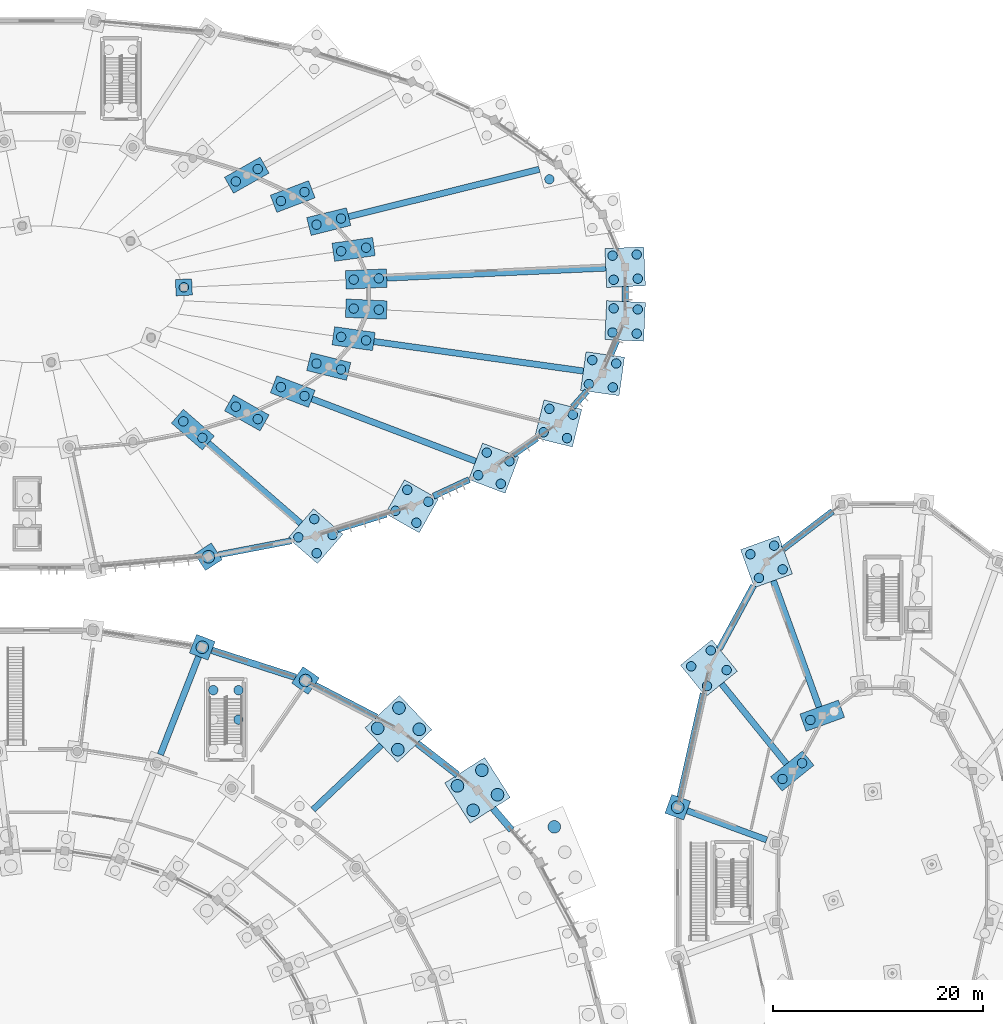
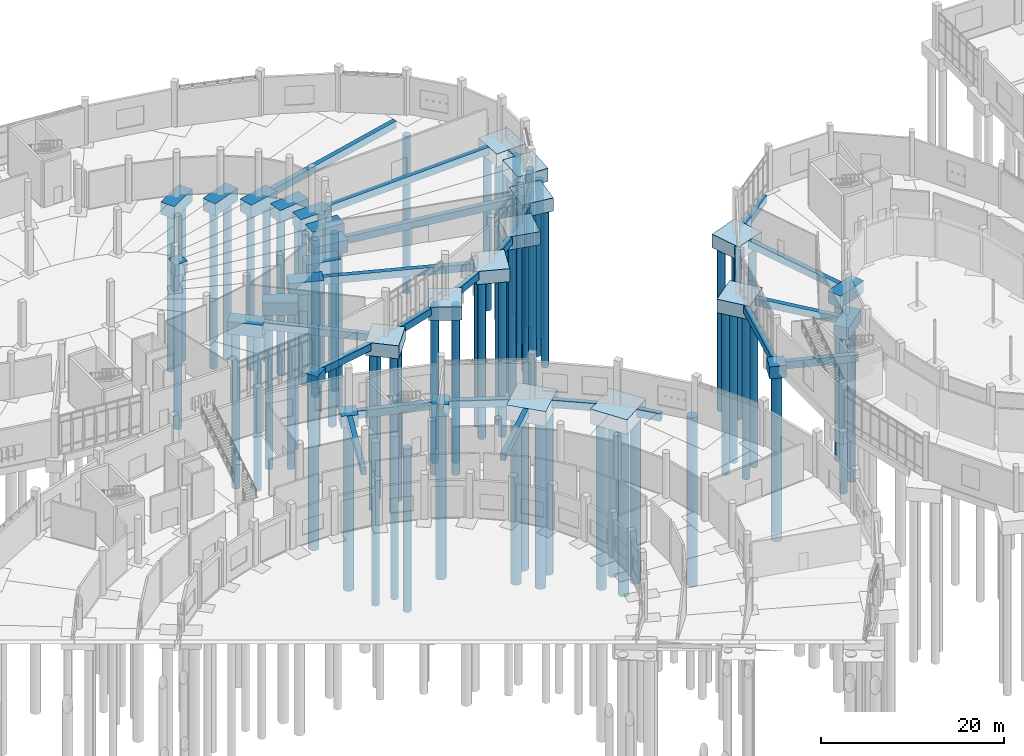
# One storey, part 10 of 140: 79 piles, 53 footings.
"""IFC4 building model written with IfcOpenShell, lengths in metres."""

from ifc_helpers import new_model, si_unit, direction, frame, origin, origin_2d, place, context, subcontext, project, spatial, rectangle, circle, extrude, material, layer, layer_set, material_profile, profile_set, type_object, element, save


model = new_model("IFC4")

# Units and contexts
model_context = context("Model", 3, precision=1e-05, world=origin(), true_north=direction((0.0, 1.0)))
body_context = subcontext(model_context, "Body", "Model", "MODEL_VIEW")
ifc_project = project(units=[si_unit("LENGTHUNIT", "METRE"), si_unit("AREAUNIT", "SQUARE_METRE"), si_unit("VOLUMEUNIT", "CUBIC_METRE"), si_unit("PLANEANGLEUNIT", "RADIAN"), si_unit("MASSUNIT", "GRAM", prefix="KILO")], contexts=[model_context])

# Site, building, storey
site_placement = place(None, origin())
site = spatial("IfcSite", under=ifc_project, at=site_placement, CompositionType="ELEMENT")
building_placement = place(site_placement, origin())
building = spatial("IfcBuilding", under=site, at=building_placement, Name="Corvandel Quay Wholesale Market", CompositionType="ELEMENT")
storey_placement = place(building_placement, origin())
storey = spatial("IfcBuildingStorey", under=building, at=storey_placement, Name="L00", CompositionType="ELEMENT", Elevation=0.0)

# Piles
ifc_material = material(Name="Concrete C40/50", Category="concrete")
ifc_material_profile_1 = material_profile(ifc_material, circle(Radius=0.60009765625, at=origin_2d()), Name="RC-PILE-D1200")
ifc_profile_set_1 = profile_set([ifc_material_profile_1], Name="Concrete C40/50")
pile_type_1 = type_object("IfcPileType", Name="Bored Pile D1200 L22.2", PredefinedType="BORED", material=ifc_profile_set_1)
for number, where, z_axis, x_axis, name in (
    (1, (157.85107421875, 68.35205078125, -1.860107421875), (0.0, 0.0, -1.0), (1.0, 0.0, 0.0), "Bored Pile PIL-0152"),
    (2, (156.365966796875, 70.678955078125, -1.860107421875), (0.0, 0.0, -1.0), (1.0, 0.0, 0.0), "Bored Pile PIL-0153"),
    (3, (155.52392578125, 66.866943359375, -1.860107421875), (0.0, 0.0, -1.0), (1.0, 0.0, 0.0), "Bored Pile PIL-0154"),
    (4, (154.0390625, 69.194091796875, -1.860107421875), (0.0, 0.0, -1.0), (1.0, 0.0, 0.0), "Bored Pile PIL-0155"),
    (5, (150.402099609375, 74.571044921875, -1.85009765625), (0.0, 0.0, -1.0), (1.0, 0.0, 0.0), "Bored Pile PIL-0159"),
    (6, (148.47607421875, 76.60302734375, -1.85009765625), (0.0, 0.0, -1.0), (1.0, 0.0, 0.0), "Bored Pile PIL-0160"),
    (7, (148.3701171875, 72.64501953125, -1.85009765625), (0.0, 0.0, -1.0), (1.0, 0.0, 0.0), "Bored Pile PIL-0161"),
    (8, (146.444091796875, 74.677001953125, -1.85009765625), (0.0, 0.0, -1.0), (1.0, 0.0, 0.0), "Bored Pile PIL-0162"),
    (9, (139.5791015625, 79.219970703125, -1.5), (0.0, 0.0, -1.0), (1.0, 0.0, 0.0), "Bored Pile PIL-0169"),
    (10, (129.7509765625, 82.385986328125, -1.5), (0.0, 0.0, -1.0), (1.0, 0.0, 0.0), "Bored Pile PIL-0173"),
    (11, (130.3349609375, 90.9990234375, -1.5), (0.0, 0.0, -1.0), (1.0, 0.0, 0.0), "Bored Pile PIL-0460"),
    (12, (175.0, 67.160888671875, -1.5), (0.0, 0.0, -1.0), (1.0, 0.0, 0.0), "Bored Pile PIL-0531"),
):
    element("IfcPile", number, at=place(storey_placement, frame(where, z_axis=z_axis, x_axis=x_axis)), inside=storey, type_object=pile_type_1, Name=name, PredefinedType="BORED", context=body_context, shape_type="SweptSolid", body=[
        extrude(circle(Radius=0.60009765625, at=origin_2d()), origin(), (0.0, 0.0, 1.0), 22.199951171875),
    ])
ifc_material_profile_2 = material_profile(ifc_material, circle(Radius=0.60009765625, at=origin_2d()), Name="RC-PILE-D1200")
ifc_profile_set_2 = profile_set([ifc_material_profile_2], Name="Concrete C40/50")
pile_type_2 = type_object("IfcPileType", Name="Bored Pile D1200 L22.6", PredefinedType="BORED", material=ifc_profile_set_2)
pile_placement = place(storey_placement, frame((163.257080078125, 65.29296875, -1.89990234375), z_axis=(0.0, 0.0, -1.0), x_axis=(1.0, 0.0, 0.0)))
element("IfcPile", 13, at=pile_placement, inside=storey, type_object=pile_type_2, Name="Bored Pile PIL-0145", PredefinedType="BORED", context=body_context, shape_type="SweptSolid", body=[
    extrude(circle(Radius=0.60009765625, at=origin_2d()), origin(), (0.0, 0.0, 1.0), 22.60009765625),
])
ifc_material_profile_3 = material_profile(ifc_material, circle(Radius=0.449951171875, at=origin_2d()), Name="RC-PILE-D900")
ifc_profile_set_3 = profile_set([ifc_material_profile_3], Name="Concrete C40/50")
pile_type_3 = type_object("IfcPileType", Name="Bored Pile D900 L21.0", PredefinedType="BORED", material=ifc_profile_set_3)
for number, where, z_axis, x_axis, name in (
    (14, (171.200927734375, 117.465087890625, -1.64990234375), (0.0, 0.0, -1.0), (1.0, 0.0, 0.0), "Bored Pile PIL-0335"),
    (15, (171.095947265625, 119.761962890625, -1.64990234375), (0.0, 0.0, -1.0), (1.0, 0.0, 0.0), "Bored Pile PIL-0336"),
    (16, (168.904052734375, 117.360107421875, -1.64990234375), (0.0, 0.0, -1.0), (1.0, 0.0, 0.0), "Bored Pile PIL-0337"),
    (17, (168.799072265625, 119.656982421875, -1.64990234375), (0.0, 0.0, -1.0), (1.0, 0.0, 0.0), "Bored Pile PIL-0338"),
    (18, (146.55908203125, 117.489013671875, -1.550048828125), (0.0, 0.0, -1.0), (1.0, 0.0, 0.0), "Bored Pile PIL-0339"),
    (19, (144.160888671875, 117.37890625, -1.550048828125), (0.0, 0.0, -1.0), (1.0, 0.0, 0.0), "Bored Pile PIL-0340"),
    (20, (128.0, 116.639892578125, -1.39990234375), (0.0, 0.0, -1.0), (1.0, 0.0, 0.0), "Bored Pile PIL-0341"),
    (21, (145.343017578125, 120.4140625, -1.550048828125), (0.0, 0.0, -1.0), (1.0, 0.0, 0.0), "Bored Pile PIL-0346"),
    (22, (142.967041015625, 120.080078125, -1.550048828125), (0.0, 0.0, -1.0), (1.0, 0.0, 0.0), "Bored Pile PIL-0347"),
    (23, (162.7880859375, 126.923095703125, -1.64990234375), (0.0, 0.0, -1.0), (1.0, 0.0, 0.0), "Bored Pile PIL-0350"),
    (24, (142.9560546875, 123.18603515625, -1.550048828125), (0.0, 0.0, -1.0), (1.0, 0.0, 0.0), "Bored Pile PIL-0352"),
    (25, (140.6259765625, 122.60791015625, -1.550048828125), (0.0, 0.0, -1.0), (1.0, 0.0, 0.0), "Bored Pile PIL-0353"),
    (26, (139.47998046875, 125.7080078125, -1.550048828125), (0.0, 0.0, -1.0), (1.0, 0.0, 0.0), "Bored Pile PIL-0358"),
    (27, (137.238037109375, 124.85400390625, -1.550048828125), (0.0, 0.0, -1.0), (1.0, 0.0, 0.0), "Bored Pile PIL-0359"),
    (28, (135.034912109375, 127.89990234375, -1.550048828125), (0.0, 0.0, -1.0), (1.0, 0.0, 0.0), "Bored Pile PIL-0364"),
    (29, (132.947021484375, 126.718017578125, -1.550048828125), (0.0, 0.0, -1.0), (1.0, 0.0, 0.0), "Bored Pile PIL-0365"),
    (30, (140.639892578125, 91.3369140625, -1.64990234375), (0.0, 0.0, -1.0), (1.0, 0.0, 0.0), "Bored Pile PIL-0462"),
    (31, (142.14794921875, 93.072998046875, -1.64990234375), (0.0, 0.0, -1.0), (1.0, 0.0, 0.0), "Bored Pile PIL-0463"),
    (32, (138.904052734375, 92.844970703125, -1.64990234375), (0.0, 0.0, -1.0), (1.0, 0.0, 0.0), "Bored Pile PIL-0464"),
    (33, (140.412109375, 94.5810546875, -1.64990234375), (0.0, 0.0, -1.0), (1.0, 0.0, 0.0), "Bored Pile PIL-0465"),
    (34, (129.760986328125, 102.31005859375, -1.550048828125), (0.0, 0.0, -1.0), (1.0, 0.0, 0.0), "Bored Pile PIL-0466"),
    (35, (127.948974609375, 103.884033203125, -1.550048828125), (0.0, 0.0, -1.0), (1.0, 0.0, 0.0), "Bored Pile PIL-0467"),
    (36, (150.133056640625, 94.237060546875, -1.64990234375), (0.0, 0.0, -1.0), (1.0, 0.0, 0.0), "Bored Pile PIL-0468"),
    (37, (151.264892578125, 96.239013671875, -1.64990234375), (0.0, 0.0, -1.0), (1.0, 0.0, 0.0), "Bored Pile PIL-0469"),
    (38, (148.131103515625, 95.368896484375, -1.64990234375), (0.0, 0.0, -1.0), (1.0, 0.0, 0.0), "Bored Pile PIL-0470"),
    (39, (149.262939453125, 97.37109375, -1.64990234375), (0.0, 0.0, -1.0), (1.0, 0.0, 0.0), "Bored Pile PIL-0471"),
    (40, (135.034912109375, 104.10009765625, -1.550048828125), (0.0, 0.0, -1.0), (1.0, 0.0, 0.0), "Bored Pile PIL-0472"),
    (41, (132.947021484375, 105.281982421875, -1.550048828125), (0.0, 0.0, -1.0), (1.0, 0.0, 0.0), "Bored Pile PIL-0473"),
    (42, (158.1630859375, 97.94189453125, -1.64990234375), (0.0, 0.0, -1.0), (1.0, 0.0, 0.0), "Bored Pile PIL-0474"),
    (43, (158.98193359375, 100.091064453125, -1.64990234375), (0.0, 0.0, -1.0), (1.0, 0.0, 0.0), "Bored Pile PIL-0475"),
    (44, (156.013916015625, 98.760986328125, -1.64990234375), (0.0, 0.0, -1.0), (1.0, 0.0, 0.0), "Bored Pile PIL-0476"),
    (45, (156.8330078125, 100.909912109375, -1.64990234375), (0.0, 0.0, -1.0), (1.0, 0.0, 0.0), "Bored Pile PIL-0477"),
    (46, (139.47998046875, 106.2919921875, -1.550048828125), (0.0, 0.0, -1.0), (1.0, 0.0, 0.0), "Bored Pile PIL-0478"),
    (47, (137.238037109375, 107.14599609375, -1.550048828125), (0.0, 0.0, -1.0), (1.0, 0.0, 0.0), "Bored Pile PIL-0479"),
    (48, (164.466064453125, 102.291015625, -1.64990234375), (0.0, 0.0, -1.0), (1.0, 0.0, 0.0), "Bored Pile PIL-0481"),
    (49, (165.02001953125, 104.52294921875, -1.64990234375), (0.0, 0.0, -1.0), (1.0, 0.0, 0.0), "Bored Pile PIL-0482"),
    (50, (162.23388671875, 102.844970703125, -1.64990234375), (0.0, 0.0, -1.0), (1.0, 0.0, 0.0), "Bored Pile PIL-0483"),
    (51, (162.7880859375, 105.076904296875, -1.64990234375), (0.0, 0.0, -1.0), (1.0, 0.0, 0.0), "Bored Pile PIL-0484"),
    (52, (142.9560546875, 108.81396484375, -1.550048828125), (0.0, 0.0, -1.0), (1.0, 0.0, 0.0), "Bored Pile PIL-0485"),
    (53, (140.6259765625, 109.39208984375, -1.550048828125), (0.0, 0.0, -1.0), (1.0, 0.0, 0.0), "Bored Pile PIL-0486"),
    (54, (168.825927734375, 107.116943359375, -1.64990234375), (0.0, 0.0, -1.0), (1.0, 0.0, 0.0), "Bored Pile PIL-0487"),
    (55, (169.14697265625, 109.39404296875, -1.64990234375), (0.0, 0.0, -1.0), (1.0, 0.0, 0.0), "Bored Pile PIL-0488"),
    (56, (166.549072265625, 107.43798828125, -1.64990234375), (0.0, 0.0, -1.0), (1.0, 0.0, 0.0), "Bored Pile PIL-0489"),
    (57, (166.8701171875, 109.715087890625, -1.64990234375), (0.0, 0.0, -1.0), (1.0, 0.0, 0.0), "Bored Pile PIL-0490"),
    (58, (145.343017578125, 111.5859375, -1.550048828125), (0.0, 0.0, -1.0), (1.0, 0.0, 0.0), "Bored Pile PIL-0491"),
    (59, (142.967041015625, 111.919921875, -1.550048828125), (0.0, 0.0, -1.0), (1.0, 0.0, 0.0), "Bored Pile PIL-0492"),
    (60, (171.095947265625, 112.238037109375, -1.64990234375), (0.0, 0.0, -1.0), (1.0, 0.0, 0.0), "Bored Pile PIL-0493"),
    (61, (171.200927734375, 114.534912109375, -1.64990234375), (0.0, 0.0, -1.0), (1.0, 0.0, 0.0), "Bored Pile PIL-0494"),
    (62, (168.799072265625, 112.343017578125, -1.64990234375), (0.0, 0.0, -1.0), (1.0, 0.0, 0.0), "Bored Pile PIL-0495"),
    (63, (168.904052734375, 114.639892578125, -1.64990234375), (0.0, 0.0, -1.0), (1.0, 0.0, 0.0), "Bored Pile PIL-0496"),
    (64, (146.55908203125, 114.510986328125, -1.550048828125), (0.0, 0.0, -1.0), (1.0, 0.0, 0.0), "Bored Pile PIL-0497"),
    (65, (144.160888671875, 114.62109375, -1.550048828125), (0.0, 0.0, -1.0), (1.0, 0.0, 0.0), "Bored Pile PIL-0498"),
    (66, (187.6279296875, 75.4619140625, -1.550048828125), (0.0, 0.0, -1.0), (1.0, 0.0, 0.0), "Bored Pile PIL-0523"),
    (67, (184.971923828125, 69.847900390625, -1.550048828125), (0.0, 0.0, -1.0), (1.0, 0.0, 0.0), "Bored Pile PIL-0529"),
    (68, (186.8359375, 71.360107421875, -1.550048828125), (0.0, 0.0, -1.0), (1.0, 0.0, 0.0), "Bored Pile PIL-0530"),
):
    element("IfcPile", number, at=place(storey_placement, frame(where, z_axis=z_axis, x_axis=x_axis)), inside=storey, type_object=pile_type_3, Name=name, PredefinedType="BORED", context=body_context, shape_type="SweptSolid", body=[
        extrude(circle(Radius=0.449951171875, at=origin_2d()), origin(), (0.0, 0.0, 1.0), 21.0),
    ])
ifc_material_profile_4 = material_profile(ifc_material, circle(Radius=0.449951171875, at=origin_2d()), Name="RC-PILE-D900")
ifc_profile_set_4 = profile_set([ifc_material_profile_4], Name="Concrete C40/50")
pile_type_4 = type_object("IfcPileType", Name="Bored Pile D900 L21.8", PredefinedType="BORED", material=ifc_profile_set_4)
for number, where, z_axis, x_axis, name in (
    (69, (133.199951171875, 75.5, -1.85009765625), (0.0, 0.0, -1.0), (1.0, 0.0, 0.0), "Bored Pile PIL-0044"),
    (70, (130.800048828125, 78.300048828125, -1.85009765625), (0.0, 0.0, -1.0), (1.0, 0.0, 0.0), "Bored Pile PIL-0045"),
    (71, (133.199951171875, 78.300048828125, -1.85009765625), (0.0, 0.0, -1.0), (1.0, 0.0, 0.0), "Bored Pile PIL-0046"),
    (72, (182.73388671875, 88.98193359375, -1.699951171875), (0.0, 0.0, -1.0), (1.0, 0.0, 0.0), "Bored Pile PIL-0519"),
    (73, (184.990966796875, 89.799072265625, -1.699951171875), (0.0, 0.0, -1.0), (1.0, 0.0, 0.0), "Bored Pile PIL-0520"),
    (74, (181.9169921875, 91.239013671875, -1.699951171875), (0.0, 0.0, -1.0), (1.0, 0.0, 0.0), "Bored Pile PIL-0521"),
    (75, (184.174072265625, 92.055908203125, -1.699951171875), (0.0, 0.0, -1.0), (1.0, 0.0, 0.0), "Bored Pile PIL-0522"),
    (76, (177.7919921875, 78.7041015625, -1.699951171875), (0.0, 0.0, -1.0), (1.0, 0.0, 0.0), "Bored Pile PIL-0525"),
    (77, (179.656982421875, 80.215087890625, -1.699951171875), (0.0, 0.0, -1.0), (1.0, 0.0, 0.0), "Bored Pile PIL-0526"),
    (78, (176.281005859375, 80.569091796875, -1.699951171875), (0.0, 0.0, -1.0), (1.0, 0.0, 0.0), "Bored Pile PIL-0527"),
    (79, (178.14599609375, 82.080078125, -1.699951171875), (0.0, 0.0, -1.0), (1.0, 0.0, 0.0), "Bored Pile PIL-0528"),
):
    element("IfcPile", number, at=place(storey_placement, frame(where, z_axis=z_axis, x_axis=x_axis)), inside=storey, type_object=pile_type_4, Name=name, PredefinedType="BORED", context=body_context, shape_type="SweptSolid", body=[
        extrude(circle(Radius=0.449951171875, at=origin_2d()), origin(), (0.0, 0.0, 1.0), 21.800048828125),
    ])

# Footings
ifc_layer_1 = layer(ifc_material, 1.64990234375)
ifc_layer_set_1 = layer_set([ifc_layer_1], Name="Concrete C40/50")
footing_type_1 = type_object("IfcFootingType", Name="Pile Cap PC03 1750x3900x1650", PredefinedType="PILE_CAP", material=ifc_layer_set_1)
for number, where, z_axis, x_axis, name in (
    (80, (145.360107421875, 117.43408203125, -1.64990234375), (0.0, 0.0, 1.0), (-0.04571169187, 0.99895467426, 0.0), "Pile Cap FND-0216"),
    (81, (144.155029296875, 120.2470703125, -1.64990234375), (0.0, 0.0, 1.0), (-0.13951876124, 0.990219427835, 0.0), "Pile Cap FND-0219"),
    (82, (141.791015625, 122.89697265625, -1.64990234375), (0.0, 0.0, 1.0), (-0.240905671828, 0.970548534222, 0.0), "Pile Cap FND-0221"),
    (83, (138.35888671875, 125.281005859375, -1.64990234375), (0.0, 0.0, 1.0), (-0.356085714679, 0.934453296747, 0.0), "Pile Cap FND-0223"),
    (84, (133.990966796875, 127.30908203125, -1.64990234375), (0.0, 0.0, 1.0), (-0.492423560103, 0.87035569594, 0.0), "Pile Cap FND-0225"),
    (85, (128.85498046875, 103.096923828125, -1.64990234375), (0.0, 0.0, 1.0), (0.655795545685, 0.754938542041, 0.0), "Pile Cap FND-0275"),
    (86, (133.990966796875, 104.69091796875, -1.64990234375), (0.0, 0.0, 1.0), (0.492423560103, 0.87035569594, 0.0), "Pile Cap FND-0277"),
    (87, (138.35888671875, 106.718994140625, -1.64990234375), (0.0, 0.0, 1.0), (0.356085714679, 0.934453296747, 0.0), "Pile Cap FND-0279"),
    (88, (141.791015625, 109.10302734375, -1.64990234375), (0.0, 0.0, 1.0), (0.240905671828, 0.970548534222, 0.0), "Pile Cap FND-0282"),
    (89, (144.155029296875, 111.7529296875, -1.64990234375), (0.0, 0.0, 1.0), (0.13951876124, 0.990219427835, 0.0), "Pile Cap FND-0284"),
    (90, (145.360107421875, 114.56591796875, -1.64990234375), (0.0, 0.0, 1.0), (0.04571169187, 0.99895467426, 0.0), "Pile Cap FND-0286"),
):
    element("IfcFooting", number, at=place(storey_placement, frame(where, z_axis=z_axis, x_axis=x_axis)), inside=storey, type_object=footing_type_1, Name=name, PredefinedType="PILE_CAP", context=body_context, shape_type="SweptSolid", body=[
        extrude(rectangle(XDim=1.75, YDim=3.89990234375, at=origin_2d()), origin(), (0.0, 0.0, 1.0), 1.64990234375),
    ])
ifc_layer_2 = layer(ifc_material, 1.64990234375)
ifc_layer_set_2 = layer_set([ifc_layer_2], Name="Concrete C40/50")
footing_type_2 = type_object("IfcFootingType", Name="Pile Cap PC04 3900x1750x1650", PredefinedType="PILE_CAP", material=ifc_layer_set_2)
for number, where, z_axis, x_axis, name in (
    (91, (188.756103515625, 75.8701171875, -1.64990234375), (0.0, 0.0, 1.0), (0.94028812701, 0.340379550213, 0.0), "Pile Cap FND-0348"),
    (92, (185.904052734375, 70.60400390625, -1.64990234375), (0.0, 0.0, 1.0), (0.776816343556, 0.629727217439, 0.0), "Pile Cap FND-0350"),
):
    element("IfcFooting", number, at=place(storey_placement, frame(where, z_axis=z_axis, x_axis=x_axis)), inside=storey, type_object=footing_type_2, Name=name, PredefinedType="PILE_CAP", context=body_context, shape_type="SweptSolid", body=[
        extrude(rectangle(XDim=3.89990234375, YDim=1.75, at=origin_2d()), origin(), (0.0, 0.0, 1.0), 1.64990234375),
    ])
ifc_layer_3 = layer(ifc_material, 1.75)
ifc_layer_set_3 = layer_set([ifc_layer_3], Name="Concrete C40/50")
footing_type_3 = type_object("IfcFootingType", Name="Pile Cap PC05 3700x3700x1750", PredefinedType="PILE_CAP", material=ifc_layer_set_3)
for number, where, z_axis, x_axis, name in (
    (93, (170.0, 118.56103515625, -1.75), (0.0, 0.0, 1.0), (-0.04571169187, 0.99895467426, 0.0), "Pile Cap FND-0215"),
    (94, (140.52587890625, 92.958984375, -1.75), (0.0, 0.0, 1.0), (0.655795545685, 0.754938542041, 0.0), "Pile Cap FND-0274"),
    (95, (149.697998046875, 95.803955078125, -1.75), (0.0, 0.0, 1.0), (0.492423560103, 0.87035569594, 0.0), "Pile Cap FND-0276"),
    (96, (157.498046875, 99.426025390625, -1.75), (0.0, 0.0, 1.0), (0.356085714679, 0.934453296747, 0.0), "Pile Cap FND-0278"),
    (97, (163.626953125, 103.68408203125, -1.75), (0.0, 0.0, 1.0), (0.240905671828, 0.970548534222, 0.0), "Pile Cap FND-0281"),
    (98, (167.847900390625, 108.416015625, -1.75), (0.0, 0.0, 1.0), (0.13951876124, 0.990219427835, 0.0), "Pile Cap FND-0283"),
    (99, (170.0, 113.43896484375, -1.75), (0.0, 0.0, 1.0), (0.04571169187, 0.99895467426, 0.0), "Pile Cap FND-0285"),
):
    element("IfcFooting", number, at=place(storey_placement, frame(where, z_axis=z_axis, x_axis=x_axis)), inside=storey, type_object=footing_type_3, Name=name, PredefinedType="PILE_CAP", context=body_context, shape_type="SweptSolid", body=[
        extrude(rectangle(XDim=3.699951171875, YDim=3.699951171875, at=origin_2d()), origin(), (0.0, 0.0, 1.0), 1.75),
    ])
ifc_layer_4 = layer(ifc_material, 1.800048828125)
ifc_layer_set_4 = layer_set([ifc_layer_4], Name="Concrete C40/50")
footing_type_4 = type_object("IfcFootingType", Name="Pile Cap PC06 3850x3850x1800", PredefinedType="PILE_CAP", material=ifc_layer_set_4)
for number, where, z_axis, x_axis, name in (
    (100, (183.4541015625, 90.51904296875, -1.7998046875), (0.0, 0.0, 1.0), (0.94028812701, 0.340379550213, 0.0), "Pile Cap FND-0347"),
    (101, (177.968994140625, 80.39208984375, -1.7998046875), (0.0, 0.0, 1.0), (0.776816343556, 0.629727217439, 0.0), "Pile Cap FND-0349"),
):
    element("IfcFooting", number, at=place(storey_placement, frame(where, z_axis=z_axis, x_axis=x_axis)), inside=storey, type_object=footing_type_4, Name=name, PredefinedType="PILE_CAP", context=body_context, shape_type="SweptSolid", body=[
        extrude(rectangle(XDim=3.85009765625, YDim=3.85009765625, at=origin_2d()), origin(), (0.0, 0.0, 1.0), 1.800048828125),
    ])
ifc_layer_5 = layer(ifc_material, 1.949951171875)
ifc_layer_set_5 = layer_set([ifc_layer_5], Name="Concrete C40/50")
footing_type_5 = type_object("IfcFootingType", Name="Pile Cap PC11 4500x4500x1950", PredefinedType="PILE_CAP", material=ifc_layer_set_5)
footing_1_placement = place(storey_placement, frame((148.423095703125, 74.6240234375, -1.9501953125), z_axis=(0.0, 0.0, 1.0), x_axis=(-0.687848001144, 0.725854756355, 0.0)))
element("IfcFooting", 102, at=footing_1_placement, inside=storey, type_object=footing_type_5, Name="Pile Cap FND-0035", PredefinedType="PILE_CAP", context=body_context, shape_type="SweptSolid", body=[
    extrude(rectangle(XDim=4.5, YDim=4.5, at=origin_2d()), origin(), (0.0, 0.0, 1.0), 1.949951171875),
])
ifc_layer_6 = layer(ifc_material, 1.5)
ifc_layer_set_6 = layer_set([ifc_layer_6], Name="Concrete C40/50")
footing_type_6 = type_object("IfcFootingType", Name="Pile Cap PC15 1550x1550x1500", PredefinedType="PILE_CAP", material=ifc_layer_set_6)
footing_2_placement = place(storey_placement, frame((128.0, 116.639892578125, -1.5), z_axis=(0.0, 0.0, 1.0), x_axis=(-0.04571169187, 0.99895467426, 0.0)))
element("IfcFooting", 103, at=footing_2_placement, inside=storey, type_object=footing_type_6, Name="Pile Cap FND-0217", PredefinedType="PILE_CAP", context=body_context, shape_type="SweptSolid", body=[
    extrude(rectangle(XDim=1.550048828125, YDim=1.550048828125, at=origin_2d()), origin(), (0.0, 0.0, 1.0), 1.5),
])
ifc_layer_7 = layer(ifc_material, 1.60009765625)
ifc_layer_set_7 = layer_set([ifc_layer_7], Name="Concrete C40/50")
footing_type_7 = type_object("IfcFootingType", Name="Pile Cap PC16 1900x1900x1600", PredefinedType="PILE_CAP", material=ifc_layer_set_7)
for number, where, z_axis, x_axis, name in (
    (104, (139.5791015625, 79.219970703125, -1.60009765625), (0.0, 0.0, 1.0), (-0.824126188622, 0.566406236925, 0.0), "Pile Cap FND-0038"),
    (105, (129.7509765625, 82.385986328125, -1.60009765625), (0.0, 0.0, 1.0), (-0.931627814096, 0.363413835735, 0.0), "Pile Cap FND-0041"),
    (106, (130.3349609375, 90.9990234375, -1.60009765625), (0.0, 0.0, 1.0), (0.837146380758, 0.546978918409, 0.0), "Pile Cap FND-0272"),
    (107, (175.0, 67.160888671875, -1.60009765625), (0.0, 0.0, 1.0), (0.344642923175, 0.938733857654, 0.0), "Pile Cap FND-0351"),
):
    element("IfcFooting", number, at=place(storey_placement, frame(where, z_axis=z_axis, x_axis=x_axis)), inside=storey, type_object=footing_type_7, Name=name, PredefinedType="PILE_CAP", context=body_context, shape_type="SweptSolid", body=[
        extrude(rectangle(XDim=1.89990234375, YDim=1.89990234375, at=origin_2d()), origin(), (0.0, 0.0, 1.0), 1.60009765625),
    ])
ifc_layer_8 = layer(ifc_material, 1.9599609375)
ifc_layer_set_8 = layer_set([ifc_layer_8], Name="Concrete C40/50")
footing_type_8 = type_object("IfcFootingType", Name="Pile Cap PC23 4520x4520x1960", PredefinedType="PILE_CAP", material=ifc_layer_set_8)
footing_3_placement = place(storey_placement, frame((155.945068359375, 68.77294921875, -1.9599609375), z_axis=(0.0, 0.0, 1.0), x_axis=(-0.538035401546, 0.842922242371, 0.0)))
element("IfcFooting", 108, at=footing_3_placement, inside=storey, type_object=footing_type_8, Name="Pile Cap FND-0032", PredefinedType="PILE_CAP", context=body_context, shape_type="SweptSolid", body=[
    extrude(rectangle(XDim=4.52001953125, YDim=4.52001953125, at=origin_2d()), origin(), (0.0, 0.0, 1.0), 1.9599609375),
])
ifc_layer_9 = layer(ifc_material, 0.949951171875)
ifc_layer_set_9 = layer_set([ifc_layer_9], Name="Concrete C40/50")
footing_type_9 = type_object("IfcFootingType", Name="Seismic Tie Beam GB01 600x950", PredefinedType="FOOTING_BEAM", material=ifc_layer_set_9)
footing_4_placement = place(storey_placement, frame((143.544921875, 70.0, -0.9501953125), z_axis=(0.0, 0.0, 1.0), x_axis=(0.725734693176, 0.68797467622, 0.0)))
element("IfcFooting", 109, at=footing_4_placement, inside=storey, type_object=footing_type_9, Name="Grade Beam FND-0133", PredefinedType="FOOTING_BEAM", context=body_context, shape_type="SweptSolid", body=[
    extrude(rectangle(XDim=8.94189453125, YDim=0.60009765625, at=origin_2d()), origin(), (0.0, 0.0, 1.0), 0.949951171875),
])
footing_5_placement = place(storey_placement, frame((127.5849609375, 76.8330078125, -0.9501953125), z_axis=(0.0, 0.0, 1.0), x_axis=(0.363251230473, 0.931691227586, 0.0)))
element("IfcFooting", 110, at=footing_5_placement, inside=storey, type_object=footing_type_9, Name="Grade Beam FND-0139", PredefinedType="FOOTING_BEAM", context=body_context, shape_type="SweptSolid", body=[
    extrude(rectangle(XDim=10.02099609375, YDim=0.60009765625, at=origin_2d()), origin(), (0.0, 0.0, 1.0), 0.949951171875),
])
footing_6_placement = place(storey_placement, frame((157.72998046875, 118.0, -0.9501953125), z_axis=(0.0, 0.0, 1.0), x_axis=(0.99895467426, 0.04571169187, 0.0)))
element("IfcFooting", 111, at=footing_6_placement, inside=storey, type_object=footing_type_9, Name="Grade Beam FND-0288", PredefinedType="FOOTING_BEAM", context=body_context, shape_type="SweptSolid", body=[
    extrude(rectangle(XDim=20.865966796875, YDim=0.60009765625, at=origin_2d()), origin(), (0.0, 0.0, 1.0), 0.949951171875),
])
footing_7_placement = place(storey_placement, frame((152.758056640625, 125.618896484375, -0.9501953125), z_axis=(0.0, 0.0, 1.0), x_axis=(0.970548534222, 0.240905671828, 0.0)))
element("IfcFooting", 112, at=footing_7_placement, inside=storey, type_object=footing_type_9, Name="Grade Beam FND-0291", PredefinedType="FOOTING_BEAM", context=body_context, shape_type="SweptSolid", body=[
    extrude(rectangle(XDim=18.697998046875, YDim=0.60009765625, at=origin_2d()), origin(), (0.0, 0.0, 1.0), 0.949951171875),
])
footing_8_placement = place(storey_placement, frame((134.780029296875, 91.85400390625, -0.9501953125), z_axis=(0.0, 0.0, 1.0), x_axis=(0.981991701121, 0.188924055984, 0.0)))
element("IfcFooting", 113, at=footing_8_placement, inside=storey, type_object=footing_type_9, Name="Grade Beam FND-0325", PredefinedType="FOOTING_BEAM", context=body_context, shape_type="SweptSolid", body=[
    extrude(rectangle(XDim=6.9990234375, YDim=0.60009765625, at=origin_2d()), origin(), (0.0, 0.0, 1.0), 0.949951171875),
])
footing_9_placement = place(storey_placement, frame((144.93798828125, 94.327880859375, -0.9501953125), z_axis=(0.0, 0.0, 1.0), x_axis=(0.955123398809, 0.296208192067, 0.0)))
element("IfcFooting", 114, at=footing_9_placement, inside=storey, type_object=footing_type_9, Name="Grade Beam FND-0326", PredefinedType="FOOTING_BEAM", context=body_context, shape_type="SweptSolid", body=[
    extrude(rectangle(XDim=4.885986328125, YDim=0.60009765625, at=origin_2d()), origin(), (0.0, 0.0, 1.0), 0.949951171875),
])
footing_10_placement = place(storey_placement, frame((134.72802734375, 97.9951171875, -0.9501953125), z_axis=(0.0, 0.0, 1.0), x_axis=(-0.754938542041, 0.655795545685, 0.0)))
element("IfcFooting", 115, at=footing_10_placement, inside=storey, type_object=footing_type_9, Name="Grade Beam FND-0327", PredefinedType="FOOTING_BEAM", context=body_context, shape_type="SweptSolid", body=[
    extrude(rectangle(XDim=11.658935546875, YDim=0.60009765625, at=origin_2d()), origin(), (0.0, 0.0, 1.0), 0.949951171875),
])
footing_11_placement = place(storey_placement, frame((153.458984375, 97.550048828125, -0.9501953125), z_axis=(0.0, 0.0, 1.0), x_axis=(0.906970515865, 0.421194115999, 0.0)))
element("IfcFooting", 116, at=footing_11_placement, inside=storey, type_object=footing_type_9, Name="Grade Beam FND-0328", PredefinedType="FOOTING_BEAM", context=body_context, shape_type="SweptSolid", body=[
    extrude(rectangle(XDim=3.742919921875, YDim=0.60009765625, at=origin_2d()), origin(), (0.0, 0.0, 1.0), 0.949951171875),
])
footing_12_placement = place(storey_placement, frame((160.471923828125, 101.491943359375, -0.9501953125), z_axis=(0.0, 0.0, 1.0), x_axis=(0.821248804935, 0.570570241419, 0.0)))
element("IfcFooting", 117, at=footing_12_placement, inside=storey, type_object=footing_type_9, Name="Grade Beam FND-0329", PredefinedType="FOOTING_BEAM", context=body_context, shape_type="SweptSolid", body=[
    extrude(rectangle(XDim=2.760986328125, YDim=0.60009765625, at=origin_2d()), origin(), (0.0, 0.0, 1.0), 0.949951171875),
])
footing_13_placement = place(storey_placement, frame((147.97509765625, 103.054931640625, -0.9501953125), z_axis=(0.0, 0.0, 1.0), x_axis=(-0.934453296747, 0.356085714679, 0.0)))
element("IfcFooting", 118, at=footing_13_placement, inside=storey, type_object=footing_type_9, Name="Grade Beam FND-0330", PredefinedType="FOOTING_BEAM", context=body_context, shape_type="SweptSolid", body=[
    extrude(rectangle(XDim=16.680908203125, YDim=0.60009765625, at=origin_2d()), origin(), (0.0, 0.0, 1.0), 0.949951171875),
])
footing_14_placement = place(storey_placement, frame((165.693115234375, 106.0, -0.9501953125), z_axis=(0.0, 0.0, 1.0), x_axis=(0.665621202286, 0.746289766155, 0.0)))
element("IfcFooting", 119, at=footing_14_placement, inside=storey, type_object=footing_type_9, Name="Grade Beam FND-0331", PredefinedType="FOOTING_BEAM", context=body_context, shape_type="SweptSolid", body=[
    extrude(rectangle(XDim=2.02587890625, YDim=0.60009765625, at=origin_2d()), origin(), (0.0, 0.0, 1.0), 0.949951171875),
])
footing_15_placement = place(storey_placement, frame((168.912109375, 110.89990234375, -0.9501953125), z_axis=(0.0, 0.0, 1.0), x_axis=(0.393781484212, 0.919204081089, 0.0)))
element("IfcFooting", 120, at=footing_15_placement, inside=storey, type_object=footing_type_9, Name="Grade Beam FND-0332", PredefinedType="FOOTING_BEAM", context=body_context, shape_type="SweptSolid", body=[
    extrude(rectangle(XDim=1.572021484375, YDim=0.60009765625, at=origin_2d()), origin(), (0.0, 0.0, 1.0), 0.949951171875),
])
footing_16_placement = place(storey_placement, frame((156.051025390625, 110.077880859375, -0.9501953125), z_axis=(0.0, 0.0, 1.0), x_axis=(-0.990219427835, 0.13951876124, 0.0)))
element("IfcFooting", 121, at=footing_16_placement, inside=storey, type_object=footing_type_9, Name="Grade Beam FND-0333", PredefinedType="FOOTING_BEAM", context=body_context, shape_type="SweptSolid", body=[
    extrude(rectangle(XDim=20.126953125, YDim=0.60009765625, at=origin_2d()), origin(), (0.0, 0.0, 1.0), 0.949951171875),
])
footing_17_placement = place(storey_placement, frame((170.0, 116.0, -0.9501953125), z_axis=(0.0, 0.0, 1.0), x_axis=(0.0, 1.0, 0.0)))
element("IfcFooting", 122, at=footing_17_placement, inside=storey, type_object=footing_type_9, Name="Grade Beam FND-0334", PredefinedType="FOOTING_BEAM", context=body_context, shape_type="SweptSolid", body=[
    extrude(rectangle(XDim=1.41796875, YDim=0.60009765625, at=origin_2d()), origin(), (0.0, 0.0, 1.0), 0.949951171875),
])
footing_18_placement = place(storey_placement, frame((187.39794921875, 93.534912109375, -0.9501953125), z_axis=(0.0, 0.0, 1.0), x_axis=(0.794308601354, 0.607514481979, 0.0)))
element("IfcFooting", 123, at=footing_18_placement, inside=storey, type_object=footing_type_9, Name="Grade Beam FND-0379", PredefinedType="FOOTING_BEAM", context=body_context, shape_type="SweptSolid", body=[
    extrude(rectangle(XDim=5.89306640625, YDim=0.60009765625, at=origin_2d()), origin(), (0.0, 0.0, 1.0), 0.949951171875),
])
footing_19_placement = place(storey_placement, frame((180.593994140625, 85.239013671875, -0.9501953125), z_axis=(0.0, 0.0, 1.0), x_axis=(0.476238203668, 0.879316310191, 0.0)))
element("IfcFooting", 124, at=footing_19_placement, inside=storey, type_object=footing_type_9, Name="Grade Beam FND-0381", PredefinedType="FOOTING_BEAM", context=body_context, shape_type="SweptSolid", body=[
    extrude(rectangle(XDim=6.85595703125, YDim=0.60009765625, at=origin_2d()), origin(), (0.0, 0.0, 1.0), 0.949951171875),
])
footing_20_placement = place(storey_placement, frame((186.283935546875, 82.700927734375, -0.9501953125), z_axis=(0.0, 0.0, 1.0), x_axis=(-0.340379550213, 0.94028812701, 0.0)))
element("IfcFooting", 125, at=footing_20_placement, inside=storey, type_object=footing_type_9, Name="Grade Beam FND-0382", PredefinedType="FOOTING_BEAM", context=body_context, shape_type="SweptSolid", body=[
    extrude(rectangle(XDim=12.779052734375, YDim=0.60009765625, at=origin_2d()), origin(), (0.0, 0.0, 1.0), 0.949951171875),
])
footing_21_placement = place(storey_placement, frame((176.321044921875, 73.047119140625, -0.9501953125), z_axis=(0.0, 0.0, 1.0), x_axis=(0.218994806262, 0.975726024471, 0.0)))
element("IfcFooting", 126, at=footing_21_placement, inside=storey, type_object=footing_type_9, Name="Grade Beam FND-0383", PredefinedType="FOOTING_BEAM", context=body_context, shape_type="SweptSolid", body=[
    extrude(rectangle(XDim=10.14794921875, YDim=0.60009765625, at=origin_2d()), origin(), (0.0, 0.0, 1.0), 0.949951171875),
])
footing_22_placement = place(storey_placement, frame((182.26708984375, 75.090087890625, -0.9501953125), z_axis=(0.0, 0.0, 1.0), x_axis=(-0.629727217439, 0.776816343556, 0.0)))
element("IfcFooting", 127, at=footing_22_placement, inside=storey, type_object=footing_type_9, Name="Grade Beam FND-0384", PredefinedType="FOOTING_BEAM", context=body_context, shape_type="SweptSolid", body=[
    extrude(rectangle(XDim=9.800048828125, YDim=0.60009765625, at=origin_2d()), origin(), (0.0, 0.0, 1.0), 0.949951171875),
])
footing_23_placement = place(storey_placement, frame((179.679931640625, 65.44189453125, -0.9501953125), z_axis=(0.0, 0.0, 1.0), x_axis=(-0.938733857654, 0.344642923175, 0.0)))
element("IfcFooting", 128, at=footing_23_placement, inside=storey, type_object=footing_type_9, Name="Grade Beam FND-0386", PredefinedType="FOOTING_BEAM", context=body_context, shape_type="SweptSolid", body=[
    extrude(rectangle(XDim=8.071044921875, YDim=0.60009765625, at=origin_2d()), origin(), (0.0, 0.0, 1.0), 0.949951171875),
])
ifc_layer_10 = layer(ifc_material, 1.0)
ifc_layer_set_10 = layer_set([ifc_layer_10], Name="Concrete C40/50")
footing_type_10 = type_object("IfcFootingType", Name="Seismic Tie Beam GB02 650x1000", PredefinedType="FOOTING_BEAM", material=ifc_layer_set_10)
footing_24_placement = place(storey_placement, frame((158.31396484375, 66.014892578125, -1.0), z_axis=(0.0, 0.0, 1.0), x_axis=(-0.651568967347, 0.758589401976, 0.0)))
element("IfcFooting", 129, at=footing_24_placement, inside=storey, type_object=footing_type_10, Name="Grade Beam FND-0125", PredefinedType="FOOTING_BEAM", context=body_context, shape_type="SweptSolid", body=[
    extrude(rectangle(XDim=2.705078125, YDim=0.64990234375, at=origin_2d()), origin(), (0.0, 0.0, 1.0), 1.0),
])
footing_25_placement = place(storey_placement, frame((152.135986328125, 71.736083984375, -1.0), z_axis=(0.0, 0.0, 1.0), x_axis=(-0.789298462742, 0.614009720373, 0.0)))
element("IfcFooting", 130, at=footing_25_placement, inside=storey, type_object=footing_type_10, Name="Grade Beam FND-0129", PredefinedType="FOOTING_BEAM", context=body_context, shape_type="SweptSolid", body=[
    extrude(rectangle(XDim=4.85498046875, YDim=0.64990234375, at=origin_2d()), origin(), (0.0, 0.0, 1.0), 1.0),
])
footing_26_placement = place(storey_placement, frame((143.368896484375, 77.25, -1.0), z_axis=(0.0, 0.0, 1.0), x_axis=(-0.887332978338, 0.461129250378, 0.0)))
element("IfcFooting", 131, at=footing_26_placement, inside=storey, type_object=footing_type_10, Name="Grade Beam FND-0131", PredefinedType="FOOTING_BEAM", context=body_context, shape_type="SweptSolid", body=[
    extrude(rectangle(XDim=6.62890625, YDim=0.64990234375, at=origin_2d()), origin(), (0.0, 0.0, 1.0), 1.0),
])
footing_27_placement = place(storey_placement, frame((134.64599609375, 80.80908203125, -1.0), z_axis=(0.0, 0.0, 1.0), x_axis=(-0.951808747363, 0.306692204733, 0.0)))
element("IfcFooting", 132, at=footing_27_placement, inside=storey, type_object=footing_type_10, Name="Grade Beam FND-0135", PredefinedType="FOOTING_BEAM", context=body_context, shape_type="SweptSolid", body=[
    extrude(rectangle(XDim=8.382080078125, YDim=0.64990234375, at=origin_2d()), origin(), (0.0, 0.0, 1.0), 1.0),
])

save(model, "model.ifc")
